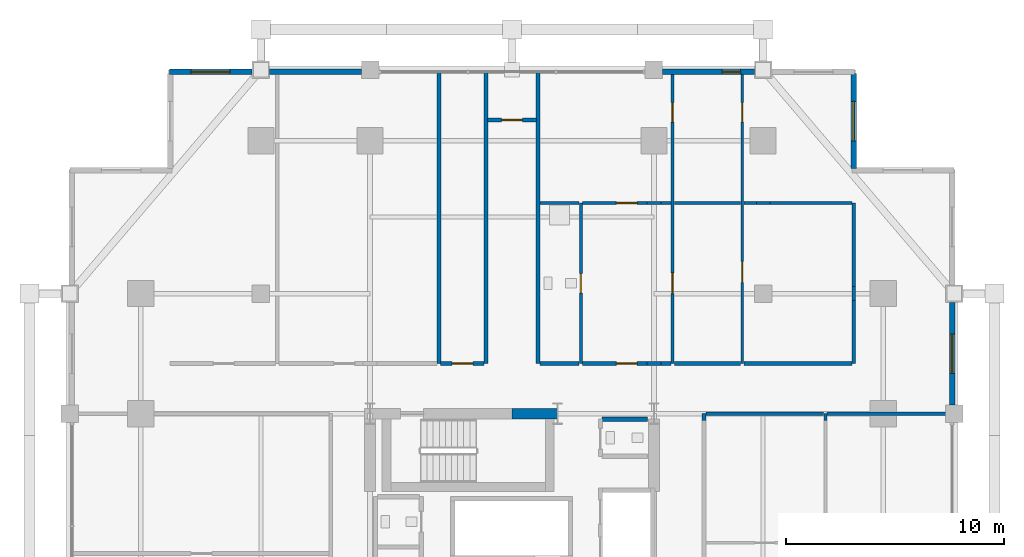
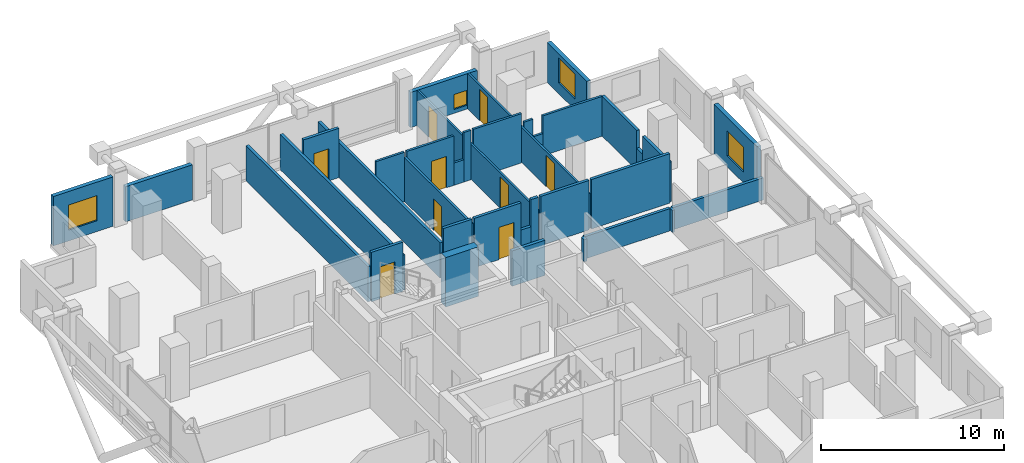
# One storey, part 22 of 25: 36 walls, 9 doors, 4 windows, 13 openings.
"""IFC4 building model written with IfcOpenShell, lengths in metres."""

from ifc_helpers import new_model, si_unit, direction, frame, frame_2d, origin, place, context, subcontext, project, spatial, rectangle, extrude, material, layer, layer_set, type_object, element, fill, save


model = new_model("IFC4")

# Units and contexts
model_context = context("Model", 3, precision=1e-05, world=origin(), true_north=direction((0.0, 1.0)))
body_context = subcontext(model_context, "Body", "Model", "MODEL_VIEW")
ifc_project = project(units=[si_unit("LENGTHUNIT", "METRE"), si_unit("AREAUNIT", "SQUARE_METRE"), si_unit("VOLUMEUNIT", "CUBIC_METRE"), si_unit("PLANEANGLEUNIT", "RADIAN"), si_unit("MASSUNIT", "GRAM", prefix="KILO")], contexts=[model_context])

# Site, building, storey
site_placement = place(None, origin())
site = spatial("IfcSite", under=ifc_project, at=site_placement, CompositionType="ELEMENT")
building_placement = place(site_placement, origin())
building = spatial("IfcBuilding", under=site, at=building_placement, Name="Barlavira Tower and Art Museum", CompositionType="ELEMENT")
storey_placement = place(building_placement, frame((0.0, 0.0, 162.0)))
storey = spatial("IfcBuildingStorey", under=building, at=storey_placement, Name="L41", CompositionType="ELEMENT", Elevation=162.0)

# Wall, openings, doors
ifc_material_1 = material(Name="Gypsum acoustic stud partition", Category="gypsum")
ifc_layer_1 = layer(ifc_material_1, 0.1201171875, Name="Gypsum acoustic stud partition")
ifc_layer_set_1 = layer_set([ifc_layer_1], Name="Gypsum acoustic stud partition")
wall_type_1 = type_object("IfcWallType", Name="Apartment Internal Acoustic Partition 120", PredefinedType="PARTITIONING", material=ifc_layer_set_1)
wall_1_placement = place(storey_placement, frame((7.35009765625, 9.800048828125, 0.0), z_axis=(0.0, 0.0, 1.0), x_axis=(0.0, 1.0, 0.0)))
wall_1 = element("IfcWall", 1, at=wall_1_placement, inside=storey, type_object=wall_type_1, Name="L41 Partition Wall 18", PredefinedType="PARTITIONING", context=body_context, shape_type="SweptSolid", body=[
    extrude(rectangle(XDim=13.349853515625, YDim=0.1201171875, at=frame_2d((6.6748046875, 0.0))), origin(), (0.0, 0.0, 1.0), 2.35302734375),
])
opening_1_placement = place(wall_1_placement, frame((3.195068359375, 0.0, 0.0)))
opening_1 = element("IfcOpeningElement", 2, at=opening_1_placement, cuts=wall_1, Name="Opening D-02", PredefinedType="OPENING", context=body_context, shape_type="SweptSolid", body=[
    extrude(rectangle(XDim=0.949951171875, YDim=2.10009765625, at=frame_2d((0.47509765625, 1.050048828125))), frame((0.0, 0.070068359375, 0.0), z_axis=(0.0, -1.0, 0.0), x_axis=(1.0, 0.0, 0.0)), (0.0, 0.0, 1.0), 0.14013671875),
])
opening_2_placement = place(wall_1_placement, frame((11.051025390625, 0.0, 0.0)))
opening_2 = element("IfcOpeningElement", 3, at=opening_2_placement, cuts=wall_1, Name="Opening D-01", PredefinedType="OPENING", context=body_context, shape_type="SweptSolid", body=[
    extrude(rectangle(XDim=0.89990234375, YDim=2.10009765625, at=frame_2d((0.449951171875, 1.050048828125))), frame((0.0, 0.070068359375, 0.0), z_axis=(0.0, -1.0, 0.0), x_axis=(1.0, 0.0, 0.0)), (0.0, 0.0, 1.0), 0.14013671875),
])
ifc_material_2 = material(Name="Engineered coastal hardwood", Category="wood")
door_type_1 = type_object("IfcDoorType", Name="Internal Bedroom Timber Flush Door 900x2100", OperationType="NOTDEFINED", PredefinedType="DOOR", material=ifc_material_2)
door_1_placement = place(opening_2_placement, origin())
door_1 = element("IfcDoor", 4, at=door_1_placement, inside=storey, type_object=door_type_1, Name="Apartment NE1 Bedroom 1 Door", OperationType="SINGLE_SWING_LEFT", OverallHeight=2.10009765625, OverallWidth=0.89990234375, PredefinedType="DOOR", context=body_context, shape_type="SweptSolid", body=[
    extrude(rectangle(XDim=0.89990234375, YDim=2.10009765625, at=frame_2d((0.449951171875, 1.050048828125))), frame((0.0, 0.02490234375, 0.0), z_axis=(0.0, -1.0, 0.0), x_axis=(1.0, 0.0, 0.0)), (0.0, 0.0, 1.0), 0.050048828125),
])
fill(opening_2, door_1)
door_type_2 = type_object("IfcDoorType", Name="Living and Salon Glazed-Leaf Door 950x2100", OperationType="NOTDEFINED", PredefinedType="DOOR", material=ifc_material_2)
door_2_placement = place(opening_1_placement, origin())
door_2 = element("IfcDoor", 5, at=door_2_placement, inside=storey, type_object=door_type_2, Name="Apartment NE1 Kitchen Door", OperationType="SINGLE_SWING_RIGHT", OverallHeight=2.10009765625, OverallWidth=0.949951171875, PredefinedType="DOOR", context=body_context, shape_type="SweptSolid", body=[
    extrude(rectangle(XDim=0.949951171875, YDim=2.10009765625, at=frame_2d((0.47509765625, 1.050048828125))), frame((0.0, 0.02490234375, 0.0), z_axis=(0.0, -1.0, 0.0), x_axis=(1.0, 0.0, 0.0)), (0.0, 0.0, 1.0), 0.050048828125),
])
fill(opening_1, door_2)

wall_2_placement = place(storey_placement, frame((10.550048828125, 9.800048828125, 0.0), z_axis=(0.0, 0.0, 1.0), x_axis=(0.0, 1.0, 0.0)))
wall_2 = element("IfcWall", 6, at=wall_2_placement, inside=storey, type_object=wall_type_1, Name="L41 Partition Wall 23", PredefinedType="PARTITIONING", context=body_context, shape_type="SweptSolid", body=[
    extrude(rectangle(XDim=13.349853515625, YDim=0.1201171875, at=frame_2d((6.6748046875, 0.0))), origin(), (0.0, 0.0, 1.0), 2.35302734375),
])
opening_3_placement = place(wall_2_placement, frame((3.71337890625, 0.0, 0.0)))
opening_3 = element("IfcOpeningElement", 7, at=opening_3_placement, cuts=wall_2, Name="Opening D-02", PredefinedType="OPENING", context=body_context, shape_type="SweptSolid", body=[
    extrude(rectangle(XDim=0.949951171875, YDim=2.10009765625, at=frame_2d((0.47509765625, 1.050048828125))), frame((0.0, 0.070068359375, 0.0), z_axis=(0.0, -1.0, 0.0), x_axis=(1.0, 0.0, 0.0)), (0.0, 0.0, 1.0), 0.14013671875),
])
opening_4_placement = place(wall_2_placement, frame((11.051025390625, 0.0, 0.0)))
opening_4 = element("IfcOpeningElement", 8, at=opening_4_placement, cuts=wall_2, Name="Opening D-01", PredefinedType="OPENING", context=body_context, shape_type="SweptSolid", body=[
    extrude(rectangle(XDim=0.89990234375, YDim=2.10009765625, at=frame_2d((0.449951171875, 1.050048828125))), frame((0.0, 0.070068359375, 0.0), z_axis=(0.0, -1.0, 0.0), x_axis=(1.0, 0.0, 0.0)), (0.0, 0.0, 1.0), 0.14013671875),
])
door_3_placement = place(opening_4_placement, origin())
door_3 = element("IfcDoor", 9, at=door_3_placement, inside=storey, type_object=door_type_1, Name="Apartment NE1 Bedroom 2 Door", OperationType="SINGLE_SWING_RIGHT", OverallHeight=2.10009765625, OverallWidth=0.89990234375, PredefinedType="DOOR", context=body_context, shape_type="SweptSolid", body=[
    extrude(rectangle(XDim=0.89990234375, YDim=2.10009765625, at=frame_2d((0.449951171875, 1.050048828125))), frame((0.0, 0.02490234375, 0.0), z_axis=(0.0, -1.0, 0.0), x_axis=(1.0, 0.0, 0.0)), (0.0, 0.0, 1.0), 0.050048828125),
])
fill(opening_4, door_3)
door_4_placement = place(opening_3_placement, origin())
door_4 = element("IfcDoor", 10, at=door_4_placement, inside=storey, type_object=door_type_2, Name="Apartment NE1 Dining Salon Door", OperationType="SINGLE_SWING_LEFT", OverallHeight=2.10009765625, OverallWidth=0.949951171875, PredefinedType="DOOR", context=body_context, shape_type="SweptSolid", body=[
    extrude(rectangle(XDim=0.949951171875, YDim=2.10009765625, at=frame_2d((0.47509765625, 1.050048828125))), frame((0.0, 0.02490234375, 0.0), z_axis=(0.0, -1.0, 0.0), x_axis=(1.0, 0.0, 0.0)), (0.0, 0.0, 1.0), 0.050048828125),
])
fill(opening_3, door_4)

# Walls
ifc_material_3 = material(Name="Concrete C60", Category="concrete")
ifc_layer_2 = layer(ifc_material_3, 0.5, Name="Concrete C60")
ifc_layer_set_2 = layer_set([ifc_layer_2], Name="Concrete C60")
wall_type_2 = type_object("IfcWallType", Name="Core Structural Shear Wall 500 Concrete C60", PredefinedType="SHEAR", material=ifc_layer_set_2)
wall_3_placement = place(storey_placement, frame((0.0, 7.5, 0.0), z_axis=(0.0, 0.0, 1.0), x_axis=(1.0, 0.0, 0.0)))
element("IfcWall", 11, at=wall_3_placement, inside=storey, type_object=wall_type_2, Name="L41 Core Shear Wall CS-EN", PredefinedType="SHEAR", context=body_context, shape_type="SweptSolid", body=[
    extrude(rectangle(XDim=2.080078125, YDim=0.5, at=frame_2d((1.0400390625, 0.0))), origin(), (0.0, 0.0, 1.0), 3.300048828125),
])
ifc_material_4 = material(Name="Autoclaved aerated concrete masonry", Category="masonry")
ifc_layer_3 = layer(ifc_material_4, 0.199951171875, Name="Autoclaved aerated concrete masonry")
ifc_layer_set_3 = layer_set([ifc_layer_3], Name="Autoclaved aerated concrete masonry")
wall_type_3 = type_object("IfcWallType", Name="Fire Compartment and Shaft Wall 200", PredefinedType="SOLIDWALL", material=ifc_layer_set_3)
wall_4_placement = place(storey_placement, frame((4.1298828125, 7.25, 0.0), z_axis=(0.0, 0.0, 1.0), x_axis=(1.0, 0.0, 0.0)))
element("IfcWall", 12, at=wall_4_placement, inside=storey, type_object=wall_type_3, Name="L41 Partition Wall 66", PredefinedType="SOLIDWALL", context=body_context, shape_type="SweptSolid", body=[
    extrude(rectangle(XDim=2.070068359375, YDim=0.199951171875, at=frame_2d((1.03515625, 0.0))), origin(), (0.0, 0.0, 1.0), 2.35302734375),
])
ifc_layer_4 = layer(ifc_material_1, 0.179931640625, Name="Gypsum acoustic stud partition")
ifc_layer_set_4 = layer_set([ifc_layer_4], Name="Gypsum acoustic stud partition")
wall_type_4 = type_object("IfcWallType", Name="Inter-Tenancy Party Partition Wall 180", PredefinedType="PARTITIONING", material=ifc_layer_set_4)
for number, where, z_axis, x_axis, name in (
    (13, (-3.35009765625, 9.800048828125, 0.0), (0.0, 0.0, 1.0), (0.0, 1.0, 0.0), "L41 Partition Wall 9"),
    (14, (-1.199951171875, 9.800048828125, 0.0), (0.0, 0.0, 1.0), (0.0, 1.0, 0.0), "L41 Partition Wall 11"),
    (15, (1.199951171875, 9.800048828125, 0.0), (0.0, 0.0, 1.0), (0.0, 1.0, 0.0), "L41 Partition Wall 13"),
):
    element("IfcWall", number, at=place(storey_placement, frame(where, z_axis=z_axis, x_axis=x_axis)), inside=storey, type_object=wall_type_4, Name=name, PredefinedType="PARTITIONING", context=body_context, shape_type="SweptSolid", body=[
        extrude(rectangle(XDim=13.349853515625, YDim=0.179931640625, at=frame_2d((6.6748046875, 0.0))), origin(), (0.0, 0.0, 1.0), 2.35302734375),
    ])
wall_5_placement = place(storey_placement, frame((8.800048828125, 7.18505859375, 0.0), z_axis=(0.0, 0.0, 1.0), x_axis=(0.0, 1.0, 0.0)))
element("IfcWall", 16, at=wall_5_placement, inside=storey, type_object=wall_type_4, Name="L41 Partition Wall 21", PredefinedType="PARTITIONING", context=body_context, shape_type="SweptSolid", body=[
    extrude(rectangle(XDim=0.31494140625, YDim=0.179931640625, at=frame_2d((0.157470703125, 0.0))), origin(), (0.0, 0.0, 1.0), 1.485107421875),
])
wall_6_placement = place(storey_placement, frame((15.64990234375, 9.800048828125, 0.0), z_axis=(0.0, 0.0, 1.0), x_axis=(0.0, 1.0, 0.0)))
element("IfcWall", 17, at=wall_6_placement, inside=storey, type_object=wall_type_4, Name="L41 Partition Wall 30", PredefinedType="PARTITIONING", context=body_context, shape_type="SweptSolid", body=[
    extrude(rectangle(XDim=2.885009765625, YDim=0.179931640625, at=frame_2d((1.4423828125, 0.0))), origin(), (0.0, 0.0, 1.0), 2.66796875),
])
wall_7_placement = place(storey_placement, frame((15.64990234375, 12.68505859375, 0.0), z_axis=(0.0, 0.0, 1.0), x_axis=(0.0, 1.0, 0.0)))
element("IfcWall", 18, at=wall_7_placement, inside=storey, type_object=wall_type_4, Name="L41 Partition Wall 31", PredefinedType="PARTITIONING", context=body_context, shape_type="SweptSolid", body=[
    extrude(rectangle(XDim=0.6298828125, YDim=0.179931640625, at=frame_2d((0.31494140625, 0.0))), origin(), (0.0, 0.0, 1.0), 1.485107421875),
])
wall_8_placement = place(storey_placement, frame((15.64990234375, 13.31494140625, 0.0), z_axis=(0.0, 0.0, 1.0), x_axis=(0.0, 1.0, 0.0)))
element("IfcWall", 19, at=wall_8_placement, inside=storey, type_object=wall_type_4, Name="L41 Partition Wall 32", PredefinedType="PARTITIONING", context=body_context, shape_type="SweptSolid", body=[
    extrude(rectangle(XDim=3.8349609375, YDim=0.179931640625, at=frame_2d((1.91748046875, 0.0))), origin(), (0.0, 0.0, 1.0), 2.66796875),
])
wall_9_placement = place(storey_placement, frame((8.8798828125, 7.5, 0.0), z_axis=(0.0, 0.0, 1.0), x_axis=(1.0, 0.0, 0.0)))
element("IfcWall", 20, at=wall_9_placement, inside=storey, type_object=wall_type_4, Name="L41 Partition Wall 68", PredefinedType="PARTITIONING", context=body_context, shape_type="SweptSolid", body=[
    extrude(rectangle(XDim=5.39013671875, YDim=0.179931640625, at=frame_2d((2.695068359375, 0.0))), origin(), (0.0, 0.0, 1.0), 1.485107421875),
])
wall_10_placement = place(storey_placement, frame((14.429931640625, 7.5, 0.0), z_axis=(0.0, 0.0, 1.0), x_axis=(1.0, 0.0, 0.0)))
element("IfcWall", 21, at=wall_10_placement, inside=storey, type_object=wall_type_4, Name="L41 Partition Wall 69", PredefinedType="PARTITIONING", context=body_context, shape_type="SweptSolid", body=[
    extrude(rectangle(XDim=5.719970703125, YDim=0.179931640625, at=frame_2d((2.85986328125, 0.0))), origin(), (0.0, 0.0, 1.0), 1.485107421875),
])

# Wall, opening, door
wall_11_placement = place(storey_placement, frame((-3.27001953125, 9.800048828125, 0.0), z_axis=(0.0, 0.0, 1.0), x_axis=(1.0, 0.0, 0.0)))
wall_11 = element("IfcWall", 22, at=wall_11_placement, inside=storey, type_object=wall_type_4, Name="L41 Partition Wall 74", PredefinedType="PARTITIONING", context=body_context, shape_type="SweptSolid", body=[
    extrude(rectangle(XDim=1.989990234375, YDim=0.179931640625, at=frame_2d((0.9951171875, 0.0))), origin(), (0.0, 0.0, 1.0), 3.300048828125),
])
opening_5_placement = place(wall_11_placement, frame((0.52490234375, 0.0, 0.0)))
opening_5 = element("IfcOpeningElement", 23, at=opening_5_placement, cuts=wall_11, Name="Opening FD-60", PredefinedType="OPENING", context=body_context, shape_type="SweptSolid", body=[
    extrude(rectangle(XDim=0.949951171875, YDim=2.14990234375, at=frame_2d((0.47509765625, 1.074951171875))), frame((0.0, 0.10009765625, 0.0), z_axis=(0.0, -1.0, 0.0), x_axis=(1.0, 0.0, 0.0)), (0.0, 0.0, 1.0), 0.199951171875),
])
ifc_material_5 = material(Name="Brushed stainless steel", Category="steel")
door_type_3 = type_object("IfcDoorType", Name="Apartment Entrance and Riser Fire Door 950x2150 FD60S", OperationType="NOTDEFINED", PredefinedType="DOOR", material=ifc_material_5)
door_5_placement = place(opening_5_placement, origin())
door_5 = element("IfcDoor", 24, at=door_5_placement, inside=storey, type_object=door_type_3, Name="Climate-Controlled Wine Tasting Room Door", OperationType="SINGLE_SWING_LEFT", OverallHeight=2.14990234375, OverallWidth=0.949951171875, PredefinedType="DOOR", context=body_context, shape_type="SweptSolid", body=[
    extrude(rectangle(XDim=0.949951171875, YDim=2.14990234375, at=frame_2d((0.47509765625, 1.074951171875))), frame((0.0, 0.02490234375, 0.0), z_axis=(0.0, -1.0, 0.0), x_axis=(1.0, 0.0, 0.0)), (0.0, 0.0, 1.0), 0.050048828125),
])
fill(opening_5, door_5)

# Wall
wall_12_placement = place(storey_placement, frame((1.280029296875, 9.800048828125, 0.0), z_axis=(0.0, 0.0, 1.0), x_axis=(1.0, 0.0, 0.0)))
element("IfcWall", 25, at=wall_12_placement, inside=storey, type_object=wall_type_4, Name="L41 Partition Wall 75", PredefinedType="PARTITIONING", context=body_context, shape_type="SweptSolid", body=[
    extrude(rectangle(XDim=1.7900390625, YDim=0.179931640625, at=frame_2d((0.89501953125, 0.0))), origin(), (0.0, 0.0, 1.0), 3.300048828125),
])

# Wall, opening, door
wall_13_placement = place(storey_placement, frame((3.22998046875, 9.800048828125, 0.0), z_axis=(0.0, 0.0, 1.0), x_axis=(1.0, 0.0, 0.0)))
wall_13 = element("IfcWall", 26, at=wall_13_placement, inside=storey, type_object=wall_type_4, Name="L41 Partition Wall 76", PredefinedType="PARTITIONING", context=body_context, shape_type="SweptSolid", body=[
    extrude(rectangle(XDim=2.955078125, YDim=0.179931640625, at=frame_2d((1.4775390625, 0.0))), origin(), (0.0, 0.0, 1.0), 3.300048828125),
])
opening_6_placement = place(wall_13_placement, frame((1.544921875, 0.0, 0.0)))
opening_6 = element("IfcOpeningElement", 27, at=opening_6_placement, cuts=wall_13, Name="Opening FD-60", PredefinedType="OPENING", context=body_context, shape_type="SweptSolid", body=[
    extrude(rectangle(XDim=0.949951171875, YDim=2.14990234375, at=frame_2d((0.47509765625, 1.074951171875))), frame((0.0, 0.10009765625, 0.0), z_axis=(0.0, -1.0, 0.0), x_axis=(1.0, 0.0, 0.0)), (0.0, 0.0, 1.0), 0.199951171875),
])
door_6_placement = place(opening_6_placement, origin())
door_6 = element("IfcDoor", 28, at=door_6_placement, inside=storey, type_object=door_type_3, Name="Apartment Entrance Hall NE1 Door", OperationType="SINGLE_SWING_LEFT", OverallHeight=2.14990234375, OverallWidth=0.949951171875, PredefinedType="DOOR", context=body_context, shape_type="SweptSolid", body=[
    extrude(rectangle(XDim=0.949951171875, YDim=2.14990234375, at=frame_2d((0.47509765625, 1.074951171875))), frame((0.0, 0.02490234375, 0.0), z_axis=(0.0, -1.0, 0.0), x_axis=(1.0, 0.0, 0.0)), (0.0, 0.0, 1.0), 0.050048828125),
])
fill(opening_6, door_6)

# Walls
wall_14_placement = place(storey_placement, frame((6.18505859375, 9.800048828125, 0.0), z_axis=(0.0, 0.0, 1.0), x_axis=(1.0, 0.0, 0.0)))
element("IfcWall", 29, at=wall_14_placement, inside=storey, type_object=wall_type_4, Name="L41 Partition Wall 77", PredefinedType="PARTITIONING", context=body_context, shape_type="SweptSolid", body=[
    extrude(rectangle(XDim=0.6298828125, YDim=0.179931640625, at=frame_2d((0.31494140625, 0.0))), origin(), (0.0, 0.0, 1.0), 1.485107421875),
])
wall_15_placement = place(storey_placement, frame((6.81494140625, 9.800048828125, 0.0), z_axis=(0.0, 0.0, 1.0), x_axis=(1.0, 0.0, 0.0)))
element("IfcWall", 30, at=wall_15_placement, inside=storey, type_object=wall_type_4, Name="L41 Partition Wall 78", PredefinedType="PARTITIONING", context=body_context, shape_type="SweptSolid", body=[
    extrude(rectangle(XDim=0.455078125, YDim=0.179931640625, at=frame_2d((0.2275390625, 0.0))), origin(), (0.0, 0.0, 1.0), 3.300048828125),
])
wall_16_placement = place(storey_placement, frame((7.429931640625, 9.800048828125, 0.0), z_axis=(0.0, 0.0, 1.0), x_axis=(1.0, 0.0, 0.0)))
element("IfcWall", 31, at=wall_16_placement, inside=storey, type_object=wall_type_4, Name="L41 Partition Wall 79", PredefinedType="PARTITIONING", context=body_context, shape_type="SweptSolid", body=[
    extrude(rectangle(XDim=3.0400390625, YDim=0.179931640625, at=frame_2d((1.52001953125, 0.0))), origin(), (0.0, 0.0, 1.0), 3.300048828125),
])
wall_17_placement = place(storey_placement, frame((10.6298828125, 9.800048828125, 0.0), z_axis=(0.0, 0.0, 1.0), x_axis=(1.0, 0.0, 0.0)))
element("IfcWall", 32, at=wall_17_placement, inside=storey, type_object=wall_type_4, Name="L41 Partition Wall 80", PredefinedType="PARTITIONING", context=body_context, shape_type="SweptSolid", body=[
    extrude(rectangle(XDim=4.940185546875, YDim=0.179931640625, at=frame_2d((2.47021484375, 0.0))), origin(), (0.0, 0.0, 1.0), 3.300048828125),
])

# Wall, opening, door
wall_18_placement = place(storey_placement, frame((-1.1201171875, 20.949951171875, 0.0), z_axis=(0.0, 0.0, 1.0), x_axis=(1.0, 0.0, 0.0)))
wall_18 = element("IfcWall", 33, at=wall_18_placement, inside=storey, type_object=wall_type_4, Name="L41 Partition Wall 89", PredefinedType="PARTITIONING", context=body_context, shape_type="SweptSolid", body=[
    extrude(rectangle(XDim=2.240234375, YDim=0.179931640625, at=frame_2d((1.1201171875, 0.0))), origin(), (0.0, 0.0, 1.0), 3.300048828125),
])
opening_7_placement = place(wall_18_placement, frame((0.64501953125, 0.0, 0.0)))
opening_7 = element("IfcOpeningElement", 34, at=opening_7_placement, cuts=wall_18, Name="Opening FD-60", PredefinedType="OPENING", context=body_context, shape_type="SweptSolid", body=[
    extrude(rectangle(XDim=0.949951171875, YDim=2.14990234375, at=frame_2d((0.47509765625, 1.074951171875))), frame((0.0, 0.10009765625, 0.0), z_axis=(0.0, -1.0, 0.0), x_axis=(1.0, 0.0, 0.0)), (0.0, 0.0, 1.0), 0.199951171875),
])
door_7_placement = place(opening_7_placement, origin())
door_7 = element("IfcDoor", 35, at=door_7_placement, inside=storey, type_object=door_type_3, Name="L41 North Ocean Alcove Door", OperationType="SINGLE_SWING_RIGHT", OverallHeight=2.14990234375, OverallWidth=0.949951171875, PredefinedType="DOOR", context=body_context, shape_type="SweptSolid", body=[
    extrude(rectangle(XDim=0.949951171875, YDim=2.14990234375, at=frame_2d((0.47509765625, 1.074951171875))), frame((0.0, 0.02490234375, 0.0), z_axis=(0.0, -1.0, 0.0), x_axis=(1.0, 0.0, 0.0)), (0.0, 0.0, 1.0), 0.050048828125),
])
fill(opening_7, door_7)

ifc_layer_5 = layer(ifc_material_1, 0.139892578125, Name="Gypsum acoustic stud partition")
ifc_layer_set_5 = layer_set([ifc_layer_5], Name="Gypsum acoustic stud partition")
wall_type_5 = type_object("IfcWallType", Name="Moisture-Resistant Bathroom Partition 140", PredefinedType="PARTITIONING", material=ifc_layer_set_5)
wall_19_placement = place(storey_placement, frame((3.14990234375, 9.800048828125, 0.0), z_axis=(0.0, 0.0, 1.0), x_axis=(0.0, 1.0, 0.0)))
wall_19 = element("IfcWall", 36, at=wall_19_placement, inside=storey, type_object=wall_type_5, Name="L41 Partition Wall 15", PredefinedType="PARTITIONING", context=body_context, shape_type="SweptSolid", body=[
    extrude(rectangle(XDim=7.349853515625, YDim=0.139892578125, at=frame_2d((3.6748046875, 0.0))), origin(), (0.0, 0.0, 1.0), 2.930908203125),
])
opening_8_placement = place(wall_19_placement, frame((3.219970703125, 0.0, 0.0)))
opening_8 = element("IfcOpeningElement", 37, at=opening_8_placement, cuts=wall_19, Name="Opening D-WC", PredefinedType="OPENING", context=body_context, shape_type="SweptSolid", body=[
    extrude(rectangle(XDim=0.89990234375, YDim=2.10009765625, at=frame_2d((0.449951171875, 1.050048828125))), frame((0.0, 0.080078125, 0.0), z_axis=(0.0, -1.0, 0.0), x_axis=(1.0, 0.0, 0.0)), (0.0, 0.0, 1.0), 0.159912109375),
])
door_type_4 = type_object("IfcDoorType", Name="Accessible Bathroom Flush Door 900x2100", OperationType="NOTDEFINED", PredefinedType="DOOR", material=ifc_material_2)
door_8_placement = place(opening_8_placement, origin())
door_8 = element("IfcDoor", 38, at=door_8_placement, inside=storey, type_object=door_type_4, Name="Apartment NE1 Hall Bathroom Door", OperationType="SINGLE_SWING_RIGHT", OverallHeight=2.10009765625, OverallWidth=0.89990234375, PredefinedType="DOOR", context=body_context, shape_type="SweptSolid", body=[
    extrude(rectangle(XDim=0.89990234375, YDim=2.10009765625, at=frame_2d((0.449951171875, 1.050048828125))), frame((0.0, 0.02490234375, 0.0), z_axis=(0.0, -1.0, 0.0), x_axis=(1.0, 0.0, 0.0)), (0.0, 0.0, 1.0), 0.050048828125),
])
fill(opening_8, door_8)

# Walls
wall_20_placement = place(storey_placement, frame((14.35009765625, 7.18505859375, 0.0), z_axis=(0.0, 0.0, 1.0), x_axis=(0.0, 1.0, 0.0)))
element("IfcWall", 39, at=wall_20_placement, inside=storey, type_object=wall_type_5, Name="L41 Partition Wall 26", PredefinedType="PARTITIONING", context=body_context, shape_type="SweptSolid", body=[
    extrude(rectangle(XDim=0.31494140625, YDim=0.139892578125, at=frame_2d((0.157470703125, 0.0))), origin(), (0.0, 0.0, 1.0), 1.485107421875),
])
wall_21_placement = place(storey_placement, frame((1.280029296875, 17.14990234375, 0.0), z_axis=(0.0, 0.0, 1.0), x_axis=(1.0, 0.0, 0.0)))
element("IfcWall", 40, at=wall_21_placement, inside=storey, type_object=wall_type_5, Name="L41 Partition Wall 81", PredefinedType="PARTITIONING", context=body_context, shape_type="SweptSolid", body=[
    extrude(rectangle(XDim=1.7900390625, YDim=0.139892578125, at=frame_2d((0.89501953125, 0.0))), origin(), (0.0, 0.0, 1.0), 3.300048828125),
])

# Wall, opening, door
wall_22_placement = place(storey_placement, frame((3.22998046875, 17.14990234375, 0.0), z_axis=(0.0, 0.0, 1.0), x_axis=(1.0, 0.0, 0.0)))
wall_22 = element("IfcWall", 41, at=wall_22_placement, inside=storey, type_object=wall_type_5, Name="L41 Partition Wall 82", PredefinedType="PARTITIONING", context=body_context, shape_type="SweptSolid", body=[
    extrude(rectangle(XDim=2.955078125, YDim=0.139892578125, at=frame_2d((1.4775390625, 0.0))), origin(), (0.0, 0.0, 1.0), 3.300048828125),
])
opening_9_placement = place(wall_22_placement, frame((1.544921875, 0.0, 0.0)))
opening_9 = element("IfcOpeningElement", 42, at=opening_9_placement, cuts=wall_22, Name="Opening D-02", PredefinedType="OPENING", context=body_context, shape_type="SweptSolid", body=[
    extrude(rectangle(XDim=0.949951171875, YDim=2.10009765625, at=frame_2d((0.47509765625, 1.050048828125))), frame((0.0, 0.080078125, 0.0), z_axis=(0.0, -1.0, 0.0), x_axis=(1.0, 0.0, 0.0)), (0.0, 0.0, 1.0), 0.159912109375),
])
door_9_placement = place(opening_9_placement, origin())
door_9 = element("IfcDoor", 43, at=door_9_placement, inside=storey, type_object=door_type_2, Name="Apartment NE1 Living Lounge Door", OperationType="SINGLE_SWING_RIGHT", OverallHeight=2.10009765625, OverallWidth=0.949951171875, PredefinedType="DOOR", context=body_context, shape_type="SweptSolid", body=[
    extrude(rectangle(XDim=0.949951171875, YDim=2.10009765625, at=frame_2d((0.47509765625, 1.050048828125))), frame((0.0, 0.02490234375, 0.0), z_axis=(0.0, -1.0, 0.0), x_axis=(1.0, 0.0, 0.0)), (0.0, 0.0, 1.0), 0.050048828125),
])
fill(opening_9, door_9)

# Walls
wall_23_placement = place(storey_placement, frame((6.18505859375, 17.14990234375, 0.0), z_axis=(0.0, 0.0, 1.0), x_axis=(1.0, 0.0, 0.0)))
element("IfcWall", 44, at=wall_23_placement, inside=storey, type_object=wall_type_5, Name="L41 Partition Wall 83", PredefinedType="PARTITIONING", context=body_context, shape_type="SweptSolid", body=[
    extrude(rectangle(XDim=0.6298828125, YDim=0.139892578125, at=frame_2d((0.31494140625, 0.0))), origin(), (0.0, 0.0, 1.0), 1.485107421875),
])
wall_24_placement = place(storey_placement, frame((6.81494140625, 17.14990234375, 0.0), z_axis=(0.0, 0.0, 1.0), x_axis=(1.0, 0.0, 0.0)))
element("IfcWall", 45, at=wall_24_placement, inside=storey, type_object=wall_type_5, Name="L41 Partition Wall 84", PredefinedType="PARTITIONING", context=body_context, shape_type="SweptSolid", body=[
    extrude(rectangle(XDim=0.455078125, YDim=0.139892578125, at=frame_2d((0.2275390625, 0.0))), origin(), (0.0, 0.0, 1.0), 3.300048828125),
])
wall_25_placement = place(storey_placement, frame((7.429931640625, 17.14990234375, 0.0), z_axis=(0.0, 0.0, 1.0), x_axis=(1.0, 0.0, 0.0)))
element("IfcWall", 46, at=wall_25_placement, inside=storey, type_object=wall_type_5, Name="L41 Partition Wall 85", PredefinedType="PARTITIONING", context=body_context, shape_type="SweptSolid", body=[
    extrude(rectangle(XDim=3.0400390625, YDim=0.139892578125, at=frame_2d((1.52001953125, 0.0))), origin(), (0.0, 0.0, 1.0), 3.300048828125),
])
wall_26_placement = place(storey_placement, frame((10.6298828125, 17.14990234375, 0.0), z_axis=(0.0, 0.0, 1.0), x_axis=(1.0, 0.0, 0.0)))
element("IfcWall", 47, at=wall_26_placement, inside=storey, type_object=wall_type_5, Name="L41 Partition Wall 86", PredefinedType="PARTITIONING", context=body_context, shape_type="SweptSolid", body=[
    extrude(rectangle(XDim=0.55517578125, YDim=0.139892578125, at=frame_2d((0.277587890625, 0.0))), origin(), (0.0, 0.0, 1.0), 2.66796875),
])
wall_27_placement = place(storey_placement, frame((11.18505859375, 17.14990234375, 0.0), z_axis=(0.0, 0.0, 1.0), x_axis=(1.0, 0.0, 0.0)))
element("IfcWall", 48, at=wall_27_placement, inside=storey, type_object=wall_type_5, Name="L41 Partition Wall 87", PredefinedType="PARTITIONING", context=body_context, shape_type="SweptSolid", body=[
    extrude(rectangle(XDim=0.6298828125, YDim=0.139892578125, at=frame_2d((0.31494140625, 0.0))), origin(), (0.0, 0.0, 1.0), 1.485107421875),
])
wall_28_placement = place(storey_placement, frame((11.81494140625, 17.14990234375, 0.0), z_axis=(0.0, 0.0, 1.0), x_axis=(1.0, 0.0, 0.0)))
element("IfcWall", 49, at=wall_28_placement, inside=storey, type_object=wall_type_5, Name="L41 Partition Wall 88", PredefinedType="PARTITIONING", context=body_context, shape_type="SweptSolid", body=[
    extrude(rectangle(XDim=3.755126953125, YDim=0.139892578125, at=frame_2d((1.87744140625, 0.0))), origin(), (0.0, 0.0, 1.0), 2.66796875),
])

# Wall, opening, window
ifc_material_6 = material(Name="Precast concrete C40", Category="concrete")
ifc_layer_6 = layer(ifc_material_6, 0.25, Name="Precast concrete C40")
ifc_layer_set_6 = layer_set([ifc_layer_6], Name="Precast concrete C40")
wall_type_6 = type_object("IfcWallType", Name="Notched Corner Spandrel Wall 250 Precast Concrete C40", PredefinedType="SOLIDWALL", material=ifc_layer_set_6)
wall_29_placement = place(storey_placement, frame((11.10498046875, 23.14990234375, 0.0), z_axis=(0.0, 0.0, 1.0), x_axis=(-1.0, 0.0, 0.0)))
wall_29 = element("IfcWall", 50, at=wall_29_placement, inside=storey, type_object=wall_type_6, Name="L41 Coastal Facade Pier Wall CW2-L41-N-2", PredefinedType="SOLIDWALL", context=body_context, shape_type="SweptSolid", body=[
    extrude(rectangle(XDim=4.2099609375, YDim=0.25, at=frame_2d((2.10498046875, 0.0))), origin(), (0.0, 0.0, 1.0), 2.35302734375),
])
opening_10_placement = place(wall_29_placement, frame((0.635009765625, 0.0, 0.25)))
opening_10 = element("IfcOpeningElement", 51, at=opening_10_placement, cuts=wall_29, Name="Opening WN-07", PredefinedType="OPENING", context=body_context, shape_type="SweptSolid", body=[
    extrude(rectangle(XDim=0.85009765625, YDim=1.0, at=frame_2d((0.425048828125, 0.5))), frame((0.0, 0.135009765625, 0.0), z_axis=(0.0, -1.0, 0.0), x_axis=(1.0, 0.0, 0.0)), (0.0, 0.0, 1.0), 0.27001953125),
])
ifc_material_7 = material(Name="Low-iron coastal laminated glass", Category="glass")
window_type_1 = type_object("IfcWindowType", Name="Transfer-Level Clerestory Window 850x1000", PartitioningType="SINGLE_PANEL", PredefinedType="WINDOW", material=ifc_material_7)
window_1_placement = place(opening_10_placement, origin())
window_1 = element("IfcWindow", 52, at=window_1_placement, inside=storey, type_object=window_type_1, Name="L41 Bedroom Recessed Window 2", OverallHeight=1.0, OverallWidth=0.85009765625, PartitioningType="SINGLE_PANEL", PredefinedType="WINDOW", context=body_context, shape_type="SweptSolid", body=[
    extrude(rectangle(XDim=0.85009765625, YDim=1.0, at=frame_2d((0.425048828125, 0.5))), frame((0.0, 0.030029296875, 0.0), z_axis=(0.0, -1.0, 0.0), x_axis=(1.0, 0.0, 0.0)), (0.0, 0.0, 1.0), 0.06005859375),
])
fill(opening_10, window_1)

# Wall
wall_30_placement = place(storey_placement, frame((-6.89501953125, 23.14990234375, 0.0), z_axis=(0.0, 0.0, 1.0), x_axis=(-1.0, 0.0, 0.0)))
element("IfcWall", 53, at=wall_30_placement, inside=storey, type_object=wall_type_6, Name="L41 Coastal Facade Pier Wall CW2-L41-N-4", PredefinedType="SOLIDWALL", context=body_context, shape_type="SweptSolid", body=[
    extrude(rectangle(XDim=4.2099609375, YDim=0.25, at=frame_2d((2.10498046875, 0.0))), origin(), (0.0, 0.0, 1.0), 2.35302734375),
])

# Wall, opening, window
wall_31_placement = place(storey_placement, frame((-11.89501953125, 23.14990234375, 0.0), z_axis=(0.0, 0.0, 1.0), x_axis=(-1.0, 0.0, 0.0)))
wall_31 = element("IfcWall", 54, at=wall_31_placement, inside=storey, type_object=wall_type_6, Name="L41 Coastal Facade Pier Wall CW2-L41-N-5", PredefinedType="SOLIDWALL", context=body_context, shape_type="SweptSolid", body=[
    extrude(rectangle(XDim=3.780029296875, YDim=0.25, at=frame_2d((1.89013671875, 0.0))), origin(), (0.0, 0.0, 1.0), 3.300048828125),
])
opening_11_placement = place(wall_31_placement, frame((1.012939453125, 0.0, 0.719970703125)))
opening_11 = element("IfcOpeningElement", 55, at=opening_11_placement, cuts=wall_31, Name="Opening WN-01", PredefinedType="OPENING", context=body_context, shape_type="SweptSolid", body=[
    extrude(rectangle(XDim=1.800048828125, YDim=1.679931640625, at=frame_2d((0.89990234375, 0.83984375))), frame((0.0, 0.135009765625, 0.0), z_axis=(0.0, -1.0, 0.0), x_axis=(1.0, 0.0, 0.0)), (0.0, 0.0, 1.0), 0.27001953125),
])
window_type_2 = type_object("IfcWindowType", Name="Recessed Notch Corner Punch Window 1800x1680", PartitioningType="SINGLE_PANEL", PredefinedType="WINDOW", material=ifc_material_7)
window_2_placement = place(opening_11_placement, origin())
window_2 = element("IfcWindow", 56, at=window_2_placement, inside=storey, type_object=window_type_2, Name="L41 Punched Facade Window EWP-CW2-L41-N-5-1", OverallHeight=1.679931640625, OverallWidth=1.800048828125, PartitioningType="SINGLE_PANEL", PredefinedType="WINDOW", context=body_context, shape_type="SweptSolid", body=[
    extrude(rectangle(XDim=1.800048828125, YDim=1.679931640625, at=frame_2d((0.89990234375, 0.83984375))), frame((0.0, 0.030029296875, 0.0), z_axis=(0.0, -1.0, 0.0), x_axis=(1.0, 0.0, 0.0)), (0.0, 0.0, 1.0), 0.06005859375),
])
fill(opening_11, window_2)

wall_32_placement = place(storey_placement, frame((20.14990234375, 7.89501953125, 0.0), z_axis=(0.0, 0.0, 1.0), x_axis=(0.0, 1.0, 0.0)))
wall_32 = element("IfcWall", 57, at=wall_32_placement, inside=storey, type_object=wall_type_6, Name="L41 Coastal Facade Pier Wall CW2-L41-E-4", PredefinedType="SOLIDWALL", context=body_context, shape_type="SweptSolid", body=[
    extrude(rectangle(XDim=4.7099609375, YDim=0.25, at=frame_2d((2.35498046875, 0.0))), origin(), (0.0, 0.0, 1.0), 3.300048828125),
])
opening_12_placement = place(wall_32_placement, frame((1.455078125, 0.0, 0.719970703125)))
opening_12 = element("IfcOpeningElement", 58, at=opening_12_placement, cuts=wall_32, Name="Opening WN-01", PredefinedType="OPENING", context=body_context, shape_type="SweptSolid", body=[
    extrude(rectangle(XDim=1.800048828125, YDim=1.679931640625, at=frame_2d((0.89990234375, 0.83984375))), frame((0.0, 0.135009765625, 0.0), z_axis=(0.0, -1.0, 0.0), x_axis=(1.0, 0.0, 0.0)), (0.0, 0.0, 1.0), 0.27001953125),
])
window_3_placement = place(opening_12_placement, origin())
window_3 = element("IfcWindow", 59, at=window_3_placement, inside=storey, type_object=window_type_2, Name="L41 Punched Facade Window EWP-CW2-L41-E-4-1", OverallHeight=1.679931640625, OverallWidth=1.800048828125, PartitioningType="SINGLE_PANEL", PredefinedType="WINDOW", context=body_context, shape_type="SweptSolid", body=[
    extrude(rectangle(XDim=1.800048828125, YDim=1.679931640625, at=frame_2d((0.89990234375, 0.83984375))), frame((0.0, 0.030029296875, 0.0), z_axis=(0.0, -1.0, 0.0), x_axis=(1.0, 0.0, 0.0)), (0.0, 0.0, 1.0), 0.06005859375),
])
fill(opening_12, window_3)

wall_33_placement = place(storey_placement, frame((15.64990234375, 18.72998046875, 0.0), z_axis=(0.0, 0.0, 1.0), x_axis=(0.0, 1.0, 0.0)))
wall_33 = element("IfcWall", 60, at=wall_33_placement, inside=storey, type_object=wall_type_6, Name="L41 Notch Corner Wall NE2", PredefinedType="SOLIDWALL", context=body_context, shape_type="SweptSolid", body=[
    extrude(rectangle(XDim=4.340087890625, YDim=0.25, at=frame_2d((2.169921875, 0.0))), origin(), (0.0, 0.0, 1.0), 2.66796875),
])
opening_13_placement = place(wall_33_placement, frame((1.27001953125, 0.0, 0.719970703125)))
opening_13 = element("IfcOpeningElement", 61, at=opening_13_placement, cuts=wall_33, Name="Opening WN-01", PredefinedType="OPENING", context=body_context, shape_type="SweptSolid", body=[
    extrude(rectangle(XDim=1.800048828125, YDim=1.679931640625, at=frame_2d((0.89990234375, 0.83984375))), frame((0.0, 0.135009765625, 0.0), z_axis=(0.0, -1.0, 0.0), x_axis=(1.0, 0.0, 0.0)), (0.0, 0.0, 1.0), 0.27001953125),
])
window_4_placement = place(opening_13_placement, origin())
window_4 = element("IfcWindow", 62, at=window_4_placement, inside=storey, type_object=window_type_2, Name="L41 Punched Facade Window EW-NTC-L41-NE2-1", OverallHeight=1.679931640625, OverallWidth=1.800048828125, PartitioningType="SINGLE_PANEL", PredefinedType="WINDOW", context=body_context, shape_type="SweptSolid", body=[
    extrude(rectangle(XDim=1.800048828125, YDim=1.679931640625, at=frame_2d((0.89990234375, 0.83984375))), frame((0.0, 0.030029296875, 0.0), z_axis=(0.0, -1.0, 0.0), x_axis=(1.0, 0.0, 0.0)), (0.0, 0.0, 1.0), 0.06005859375),
])
fill(opening_13, window_4)

save(model, "model.ifc")
